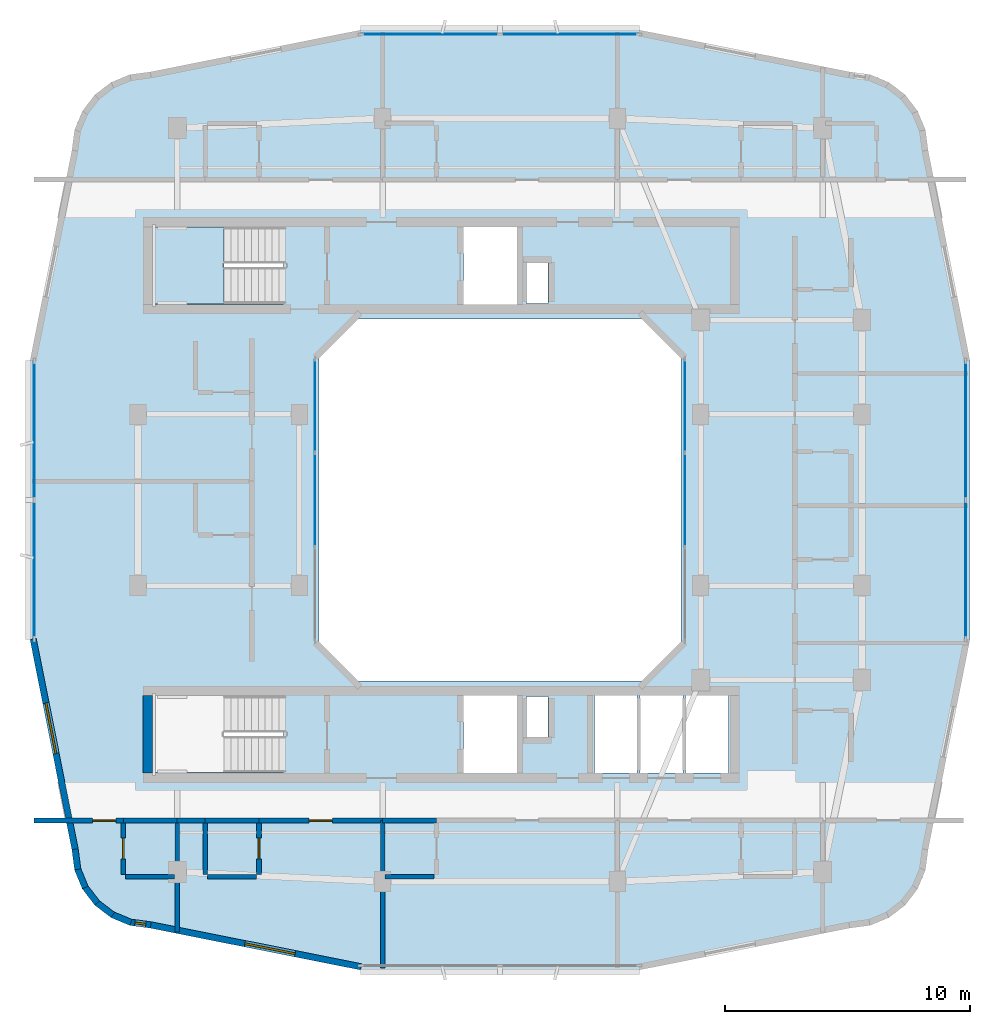
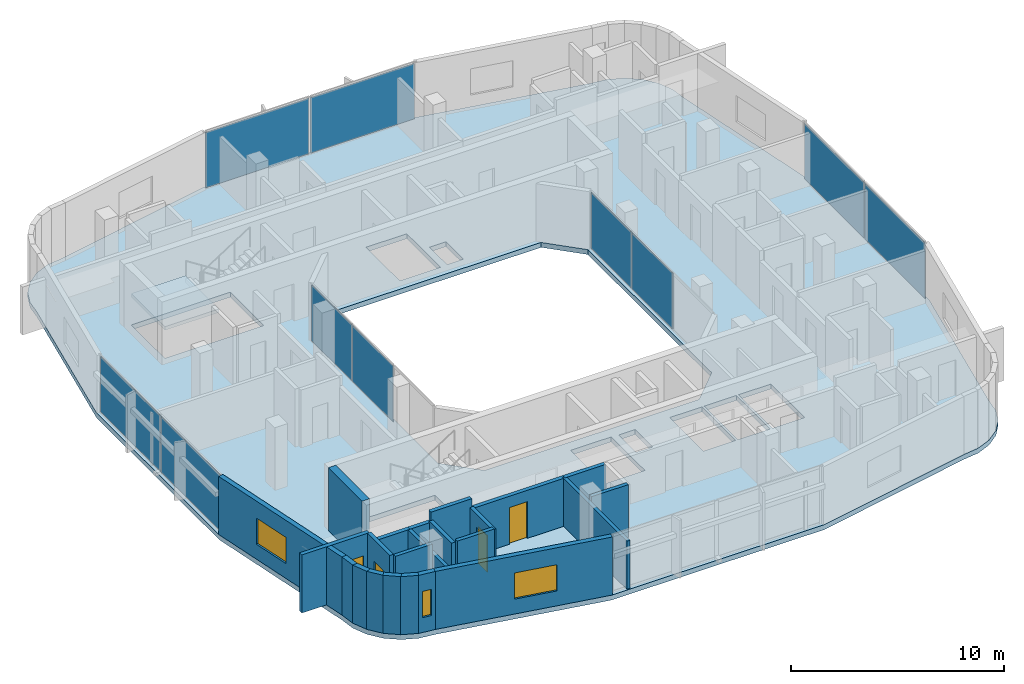
# One storey, part 6 of 14: 23 walls, 10 plates, 4 doors, 3 windows, 2 slabs, 7 openings, 6 elements without a shape of their own.
"""IFC4 building model written with IfcOpenShell, lengths in metres."""

from ifc_helpers import new_model, si_unit, derived_unit, direction, frame, frame_2d, origin, origin_2d, place, context, subcontext, project, spatial, polyline, rectangle, outline, extrude, material, layer, layer_set, type_object, element, fill, aggregate, save


model = new_model("IFC4")

# Units and contexts
model_context = context("Model", 3, precision=1e-05, world=origin(), true_north=direction((0.0, 1.0)))
body_context = subcontext(model_context, "Body", "Model", "MODEL_VIEW")
ifc_project = project(units=[si_unit("LENGTHUNIT", "METRE"), si_unit("AREAUNIT", "SQUARE_METRE"), si_unit("VOLUMEUNIT", "CUBIC_METRE"), si_unit("PLANEANGLEUNIT", "RADIAN"), si_unit("MASSUNIT", "GRAM", prefix="KILO"), derived_unit("THERMALTRANSMITTANCEUNIT", [(si_unit("POWERUNIT", "WATT"), 1), (si_unit("LENGTHUNIT", "METRE"), -2), (si_unit("THERMODYNAMICTEMPERATUREUNIT", "KELVIN"), -1)])], contexts=[model_context])

# Site, building, storey
site_placement = place(None, origin())
site = spatial("IfcSite", under=ifc_project, at=site_placement, CompositionType="ELEMENT")
building_placement = place(site_placement, origin())
building = spatial("IfcBuilding", under=site, at=building_placement, Name="Kivonza Crest Hotel", CompositionType="ELEMENT")
storey_placement = place(building_placement, frame((0.0, 0.0, 227.89990234375)))
storey = spatial("IfcBuildingStorey", under=building, at=storey_placement, Name="L62", CompositionType="ELEMENT", Elevation=227.89990234375)

# Curtain wall, plates
ifc_material_1 = material(Name="Anodised bronze aluminium and low-E double glazing", Category="aluminium")
ifc_layer_1 = layer(ifc_material_1, 0.159912109375)
ifc_layer_set_1 = layer_set([ifc_layer_1], Name="Anodised bronze aluminium and low-E double glazing")
curtain_wall_type_1 = type_object("IfcCurtainWallType", Name="CW-SYS-5", PredefinedType="NOTDEFINED", material=ifc_layer_set_1)
curtain_wall_1_placement = place(storey_placement, origin())
curtain_wall_1 = element("IfcCurtainWall", 1, at=curtain_wall_1_placement, inside=storey, type_object=curtain_wall_type_1, Name="L62 unitised curtain wall CW-WELL-T1-L62-3", PredefinedType="NOTDEFINED")
ifc_material_2 = material(Name="Solar-control low-E double glazing", Category="glass")
ifc_layer_2 = layer(ifc_material_2, 0.028076171875)
ifc_layer_set_2 = layer_set([ifc_layer_2], Name="Solar-control low-E double glazing")
plate_type_1 = type_object("IfcPlateType", Name="CW-PNL-28", PredefinedType="CURTAIN_PANEL", material=ifc_layer_set_2)
plate_1_placement = place(storey_placement, frame((28.56005859375, 25.0, 0.065185546875), z_axis=(0.0, 0.0, 1.0), x_axis=(0.0, 1.0, 0.0)))
plate_1 = element("IfcPlate", 2, at=plate_1_placement, type_object=plate_type_1, Name="CW-5 panel 2.1", PredefinedType="CURTAIN_PANEL", context=body_context, shape_type="SweptSolid", body=[
    extrude(rectangle(XDim=3.8017578125, YDim=0.028076171875, at=origin_2d()), origin(), (0.0, 0.0, 1.0), 3.18994140625),
])
plate_2_placement = place(storey_placement, frame((28.56005859375, 28.850341796875, 0.065185546875), z_axis=(0.0, 0.0, 1.0), x_axis=(0.0, 1.0, 0.0)))
plate_2 = element("IfcPlate", 3, at=plate_2_placement, type_object=plate_type_1, Name="CW-5 panel 3.1", PredefinedType="CURTAIN_PANEL", context=body_context, shape_type="SweptSolid", body=[
    extrude(rectangle(XDim=3.769287109375, YDim=0.028076171875, at=origin_2d()), origin(), (0.0, 0.0, 1.0), 3.18994140625),
])
aggregate(curtain_wall_1, [plate_1, plate_2])

curtain_wall_2_placement = place(storey_placement, origin())
curtain_wall_2 = element("IfcCurtainWall", 4, at=curtain_wall_2_placement, inside=storey, type_object=curtain_wall_type_1, Name="L62 unitised curtain wall CW-WELL-T1-L62-7", PredefinedType="NOTDEFINED")
plate_3_placement = place(storey_placement, frame((13.43994140625, 28.850341796875, 0.065185546875), z_axis=(0.0, 0.0, 1.0), x_axis=(0.0, -1.0, 0.0)))
plate_3 = element("IfcPlate", 5, at=plate_3_placement, type_object=plate_type_1, Name="CW-5 panel 1.1", PredefinedType="CURTAIN_PANEL", context=body_context, shape_type="SweptSolid", body=[
    extrude(rectangle(XDim=3.769287109375, YDim=0.028076171875, at=origin_2d()), origin(), (0.0, 0.0, 1.0), 3.18994140625),
])
plate_4_placement = place(storey_placement, frame((13.43994140625, 25.0, 0.065185546875), z_axis=(0.0, 0.0, 1.0), x_axis=(0.0, -1.0, 0.0)))
plate_4 = element("IfcPlate", 6, at=plate_4_placement, type_object=plate_type_1, Name="CW-5 panel 2.1", PredefinedType="CURTAIN_PANEL", context=body_context, shape_type="SweptSolid", body=[
    extrude(rectangle(XDim=3.8017578125, YDim=0.028076171875, at=origin_2d()), origin(), (0.0, 0.0, 1.0), 3.18994140625),
])
aggregate(curtain_wall_2, [plate_3, plate_4])

ifc_layer_3 = layer(ifc_material_1, 0.179931640625)
ifc_layer_set_3 = layer_set([ifc_layer_3], Name="Anodised bronze aluminium and low-E double glazing")
curtain_wall_type_2 = type_object("IfcCurtainWallType", Name="CW-SYS-3", PredefinedType="NOTDEFINED", material=ifc_layer_set_3)
curtain_wall_3_placement = place(storey_placement, origin())
curtain_wall_3 = element("IfcCurtainWall", 7, at=curtain_wall_3_placement, inside=storey, type_object=curtain_wall_type_2, Name="L62 unitised curtain wall CW-T1-L62-17", PredefinedType="NOTDEFINED")
ifc_material_3 = material(Name="Acoustic triple-laminated low-E glazing", Category="glass")
ifc_layer_4 = layer(ifc_material_3, 0.035888671875)
ifc_layer_set_4 = layer_set([ifc_layer_4], Name="Acoustic triple-laminated low-E glazing")
plate_type_2 = type_object("IfcPlateType", Name="CW-PNL-36", PredefinedType="CURTAIN_PANEL", material=ifc_layer_set_4)
plate_5_placement = place(storey_placement, frame((40.0400390625, 22.15869140625, 0.0751953125), z_axis=(0.0, 0.0, 1.0), x_axis=(0.0, 1.0, 0.0)))
plate_5 = element("IfcPlate", 8, at=plate_5_placement, type_object=plate_type_2, Name="CW-3 panel 1.1", PredefinedType="CURTAIN_PANEL", context=body_context, shape_type="SweptSolid", body=[
    extrude(rectangle(XDim=5.607421875, YDim=0.035888671875, at=origin_2d()), origin(), (0.0, 0.0, 1.0), 3.169921875),
])
plate_6_placement = place(storey_placement, frame((40.0400390625, 27.84130859375, 0.0751953125), z_axis=(0.0, 0.0, 1.0), x_axis=(0.0, 1.0, 0.0)))
plate_6 = element("IfcPlate", 9, at=plate_6_placement, type_object=plate_type_2, Name="CW-3 panel 2.1", PredefinedType="CURTAIN_PANEL", context=body_context, shape_type="SweptSolid", body=[
    extrude(rectangle(XDim=5.607421875, YDim=0.035888671875, at=origin_2d()), origin(), (0.0, 0.0, 1.0), 3.169921875),
])
aggregate(curtain_wall_3, [plate_5, plate_6])

curtain_wall_4_placement = place(storey_placement, origin())
curtain_wall_4 = element("IfcCurtainWall", 10, at=curtain_wall_4_placement, inside=storey, type_object=curtain_wall_type_2, Name="L62 unitised curtain wall CW-T1-L62-26", PredefinedType="NOTDEFINED")
plate_7_placement = place(storey_placement, frame((23.84130859375, 44.0400390625, 0.0751953125), z_axis=(0.0, 0.0, 1.0), x_axis=(-1.0, 0.0, 0.0)))
plate_7 = element("IfcPlate", 11, at=plate_7_placement, type_object=plate_type_2, Name="CW-3 panel 1.1", PredefinedType="CURTAIN_PANEL", context=body_context, shape_type="SweptSolid", body=[
    extrude(rectangle(XDim=5.607421875, YDim=0.035888671875, at=origin_2d()), origin(), (0.0, 0.0, 1.0), 3.169921875),
])
plate_8_placement = place(storey_placement, frame((18.15869140625, 44.0400390625, 0.0751953125), z_axis=(0.0, 0.0, 1.0), x_axis=(-1.0, 0.0, 0.0)))
plate_8 = element("IfcPlate", 12, at=plate_8_placement, type_object=plate_type_2, Name="CW-3 panel 2.1", PredefinedType="CURTAIN_PANEL", context=body_context, shape_type="SweptSolid", body=[
    extrude(rectangle(XDim=5.607421875, YDim=0.035888671875, at=origin_2d()), origin(), (0.0, 0.0, 1.0), 3.169921875),
])
aggregate(curtain_wall_4, [plate_7, plate_8])

curtain_wall_5_placement = place(storey_placement, origin())
curtain_wall_5 = element("IfcCurtainWall", 13, at=curtain_wall_5_placement, inside=storey, type_object=curtain_wall_type_2, Name="L62 unitised curtain wall CW-T1-L62-35", PredefinedType="NOTDEFINED")
plate_9_placement = place(storey_placement, frame((1.9599609375, 27.84130859375, 0.0751953125), z_axis=(0.0, 0.0, 1.0), x_axis=(0.0, -1.0, 0.0)))
plate_9 = element("IfcPlate", 14, at=plate_9_placement, type_object=plate_type_2, Name="CW-3 panel 1.1", PredefinedType="CURTAIN_PANEL", context=body_context, shape_type="SweptSolid", body=[
    extrude(rectangle(XDim=5.607421875, YDim=0.035888671875, at=origin_2d()), origin(), (0.0, 0.0, 1.0), 3.169921875),
])
plate_10_placement = place(storey_placement, frame((1.9599609375, 22.15869140625, 0.0751953125), z_axis=(0.0, 0.0, 1.0), x_axis=(0.0, -1.0, 0.0)))
plate_10 = element("IfcPlate", 15, at=plate_10_placement, type_object=plate_type_2, Name="CW-3 panel 2.1", PredefinedType="CURTAIN_PANEL", context=body_context, shape_type="SweptSolid", body=[
    extrude(rectangle(XDim=5.607421875, YDim=0.035888671875, at=origin_2d()), origin(), (0.0, 0.0, 1.0), 3.169921875),
])
aggregate(curtain_wall_5, [plate_9, plate_10])

# Slab
ifc_material_4 = material(Name="Concrete C40/50", Category="concrete")
ifc_layer_5 = layer(ifc_material_4, 0.280029296875)
ifc_layer_set_5 = layer_set([ifc_layer_5], Name="Concrete C40/50")
slab_type_1 = type_object("IfcSlabType", Name="SL-HTL-280", PredefinedType="FLOOR", material=ifc_layer_set_5)
slab_1_placement = place(storey_placement, frame((0.0, 0.0, -0.27978515625)))
element("IfcSlab", 16, at=slab_1_placement, inside=storey, type_object=slab_type_1, Name="Tower T1 L62 floor slab", PredefinedType="FLOOR", context=body_context, shape_type="SweptSolid", body=[
    extrude(outline(polyline([(3.5, 10.699951171875), (3.60888671875, 9.8720703125), (3.928955078125, 9.10009765625), (4.43701171875, 8.43701171875), (5.10009765625, 7.928955078125), (5.8720703125, 7.60888671875), (6.699951171875, 7.5), (15.239990234375, 5.800048828125), (26.760009765625, 5.800048828125), (35.300048828125, 7.5), (36.1279296875, 7.60888671875), (36.89990234375, 7.928955078125), (37.56298828125, 8.43701171875), (38.071044921875, 9.10009765625), (38.39111328125, 9.8720703125), (38.5, 10.699951171875), (40.199951171875, 19.239990234375), (40.199951171875, 30.760009765625), (38.5, 39.300048828125), (38.39111328125, 40.1279296875), (38.071044921875, 40.89990234375), (37.56298828125, 41.56298828125), (36.89990234375, 42.071044921875), (36.1279296875, 42.39111328125), (35.300048828125, 42.5), (26.760009765625, 44.199951171875), (15.239990234375, 44.199951171875), (6.699951171875, 42.5), (5.8720703125, 42.39111328125), (5.10009765625, 42.071044921875), (4.43701171875, 41.56298828125), (3.928955078125, 40.89990234375), (3.60888671875, 40.1279296875), (3.5, 39.300048828125), (1.800048828125, 30.760009765625), (1.800048828125, 19.239990234375), (3.5, 10.699951171875)]), holes=[polyline([(15.199951171875, 17.60009765625), (26.800048828125, 17.60009765625), (28.39990234375, 19.199951171875), (28.39990234375, 30.800048828125), (26.800048828125, 32.39990234375), (15.199951171875, 32.39990234375), (13.60009765625, 30.800048828125), (13.60009765625, 19.199951171875), (15.199951171875, 17.60009765625)]), polyline([(6.800048828125, 33.02001953125), (12.159912109375, 33.02001953125), (12.159912109375, 36.159912109375), (6.800048828125, 36.159912109375), (6.800048828125, 33.02001953125)]), polyline([(6.800048828125, 13.860107421875), (12.159912109375, 13.860107421875), (12.159912109375, 17.0), (6.800048828125, 17.0), (6.800048828125, 13.860107421875)]), polyline([(22.080078125, 33.0400390625), (22.969970703125, 33.0400390625), (22.969970703125, 34.679931640625), (22.080078125, 34.679931640625), (22.080078125, 33.0400390625)]), polyline([(22.080078125, 15.320068359375), (22.969970703125, 15.320068359375), (22.969970703125, 16.9599609375), (22.080078125, 16.9599609375), (22.080078125, 15.320068359375)]), polyline([(19.5, 33.0), (21.699951171875, 33.0), (21.699951171875, 36.159912109375), (19.5, 36.159912109375), (19.5, 33.0)]), polyline([(19.5, 13.840087890625), (21.699951171875, 13.840087890625), (21.699951171875, 17.0), (19.5, 17.0), (19.5, 13.840087890625)]), polyline([(24.860107421875, 13.840087890625), (26.60693359375, 13.840087890625), (26.60693359375, 17.0), (24.860107421875, 17.0), (24.860107421875, 13.840087890625)]), polyline([(26.72705078125, 13.840087890625), (28.472900390625, 13.840087890625), (28.472900390625, 17.0), (26.72705078125, 17.0), (26.72705078125, 13.840087890625)]), polyline([(28.593017578125, 13.840087890625), (30.340087890625, 13.840087890625), (30.340087890625, 17.0), (28.593017578125, 17.0), (28.593017578125, 13.840087890625)])]), origin(), (0.0, 0.0, 1.0), 0.27978515625),
])

# Stair, slab
stair_type = type_object("IfcStairType", Name="ST-DL-20R", PredefinedType="HALF_TURN_STAIR", material=ifc_material_4)
stair_placement = place(storey_placement, origin())
stair = element("IfcStair", 17, at=stair_placement, inside=storey, type_object=stair_type, Name="L62 Protected Exit Stair ST-T1-N", PredefinedType="HALF_TURN_STAIR")
ifc_layer_6 = layer(ifc_material_4, 0.199951171875)
ifc_layer_set_6 = layer_set([ifc_layer_6], Name="Concrete C40/50")
slab_type_2 = type_object("IfcSlabType", Name="SL-LAND-200", PredefinedType="LANDING", material=ifc_layer_set_6)
slab_2_placement = place(storey_placement, frame((0.0, 0.0, 1.60009765625)))
slab_2 = element("IfcSlab", 18, at=slab_2_placement, type_object=slab_type_2, Name="ST-T1-N landing 1", PredefinedType="LANDING", context=body_context, shape_type="SweptSolid", body=[
    extrude(outline(polyline([(9.719970703125, 36.159912109375), (6.800048828125, 36.159912109375), (6.800048828125, 33.02001953125), (9.719970703125, 33.02001953125), (9.719970703125, 36.159912109375)])), origin(), (0.0, 0.0, 1.0), 0.199951171875),
])
aggregate(stair, [slab_2])

# Walls
ifc_material_5 = material(Name="High-density acoustic masonry inter-tenancy wall", Category="masonry")
ifc_layer_7 = layer(ifc_material_5, 0.179931640625)
ifc_layer_set_7 = layer_set([ifc_layer_7], Name="High-density acoustic masonry inter-tenancy wall")
wall_type_1 = type_object("IfcWallType", Name="WL-ACOU-180", PredefinedType="SOLIDWALL", material=ifc_layer_set_7)
wall_1_placement = place(storey_placement, frame((7.800048828125, 7.342041015625, 0.0), z_axis=(0.0, 0.0, 1.0), x_axis=(0.0, 1.0, 0.0)))
element("IfcWall", 19, at=wall_1_placement, inside=storey, type_object=wall_type_1, Name="L62 interior partition WA-L62-T1S-DIV1", PredefinedType="SOLIDWALL", context=body_context, shape_type="SweptSolid", body=[
    extrude(rectangle(XDim=4.557861328125, YDim=0.179931640625, at=frame_2d((2.27880859375, 0.0))), origin(), (0.0, 0.0, 1.0), 2.7451171875),
])
wall_2_placement = place(storey_placement, frame((16.199951171875, 5.860107421875, 0.0), z_axis=(0.0, 0.0, 1.0), x_axis=(0.0, 1.0, 0.0)))
element("IfcWall", 20, at=wall_2_placement, inside=storey, type_object=wall_type_1, Name="L62 interior partition WA-L62-T1S-DIV2", PredefinedType="SOLIDWALL", context=body_context, shape_type="SweptSolid", body=[
    extrude(rectangle(XDim=6.039794921875, YDim=0.179931640625, at=frame_2d((3.02001953125, 0.0))), origin(), (0.0, 0.0, 1.0), 2.7451171875),
])
ifc_material_6 = material(Name="Autoclaved aerated concrete blockwork", Category="masonry")
ifc_layer_8 = layer(ifc_material_6, 0.219970703125)
ifc_layer_set_8 = layer_set([ifc_layer_8], Name="Autoclaved aerated concrete blockwork")
wall_type_2 = type_object("IfcWallType", Name="WL-ACOU-220", PredefinedType="SOLIDWALL", material=ifc_layer_set_8)
wall_3_placement = place(storey_placement, frame((5.60009765625, 11.89990234375, 0.0), z_axis=(0.0, 0.0, 1.0), x_axis=(1.0, 0.0, 0.0)))
element("IfcWall", 21, at=wall_3_placement, inside=storey, type_object=wall_type_2, Name="L62 interior partition WA-L62-S05-BCORR", PredefinedType="SOLIDWALL", context=body_context, shape_type="SweptSolid", body=[
    extrude(rectangle(XDim=2.199951171875, YDim=0.219970703125, at=frame_2d((1.10009765625, 0.0))), origin(), (0.0, 0.0, 1.0), 2.7451171875),
])

# Wall, opening, door
wall_4_placement = place(storey_placement, frame((1.9599609375, 11.89990234375, 0.0), z_axis=(0.0, 0.0, 1.0), x_axis=(1.0, 0.0, 0.0)))
wall_4 = element("IfcWall", 22, at=wall_4_placement, inside=storey, type_object=wall_type_2, Name="L62 interior partition WA-L62-S05-MCORR", PredefinedType="SOLIDWALL", context=body_context, shape_type="SweptSolid", body=[
    extrude(rectangle(XDim=3.64013671875, YDim=0.219970703125, at=frame_2d((1.820068359375, 0.0))), origin(), (0.0, 0.0, 1.0), 3.320068359375),
])
opening_1_placement = place(wall_4_placement, frame((2.389892578125, 0.0, 0.0)))
opening_1 = element("IfcOpeningElement", 23, at=opening_1_placement, cuts=wall_4, Name="Opening DU-60", PredefinedType="OPENING", context=body_context, shape_type="SweptSolid", body=[
    extrude(rectangle(XDim=0.949951171875, YDim=2.10009765625, at=frame_2d((0.47509765625, 1.050048828125))), frame((0.0, 0.1201171875, 0.0), z_axis=(0.0, -1.0, 0.0), x_axis=(1.0, 0.0, 0.0)), (0.0, 0.0, 1.0), 0.239990234375),
])
ifc_material_7 = material(Name="Hardwood timber oak", Category="wood")
door_type_1 = type_object("IfcDoorType", Name="DR-UNIT-950", OperationType="NOTDEFINED", PredefinedType="DOOR", material=ifc_material_7)
door_1_placement = place(opening_1_placement, frame((0.949951171875, 0.0, 0.0), z_axis=(0.0, 0.0, 1.0), x_axis=(-1.0, 0.0, 0.0)))
door_1 = element("IfcDoor", 24, at=door_1_placement, inside=storey, type_object=door_type_1, Name="L62 S05 guest unit entrance fire door", OperationType="SINGLE_SWING_LEFT", OverallHeight=2.10009765625, OverallWidth=0.949951171875, PredefinedType="DOOR", context=body_context, shape_type="SweptSolid", body=[
    extrude(rectangle(XDim=0.949951171875, YDim=2.10009765625, at=frame_2d((0.47509765625, 1.050048828125))), frame((0.0, 0.02490234375, 0.0), z_axis=(0.0, -1.0, 0.0), x_axis=(1.0, 0.0, 0.0)), (0.0, 0.0, 1.0), 0.050048828125),
])
fill(opening_1, door_1)

# Walls
wall_5_placement = place(storey_placement, frame((7.800048828125, 11.89990234375, 0.0), z_axis=(0.0, 0.0, 1.0), x_axis=(1.0, 0.0, 0.0)))
element("IfcWall", 25, at=wall_5_placement, inside=storey, type_object=wall_type_2, Name="L62 interior partition WA-L62-S06-XCORR", PredefinedType="SOLIDWALL", context=body_context, shape_type="SweptSolid", body=[
    extrude(rectangle(XDim=1.14990234375, YDim=0.219970703125, at=frame_2d((0.574951171875, 0.0))), origin(), (0.0, 0.0, 1.0), 2.7451171875),
])
wall_6_placement = place(storey_placement, frame((8.949951171875, 11.89990234375, 0.0), z_axis=(0.0, 0.0, 1.0), x_axis=(1.0, 0.0, 0.0)))
element("IfcWall", 26, at=wall_6_placement, inside=storey, type_object=wall_type_2, Name="L62 interior partition WA-L62-S06-BCORR", PredefinedType="SOLIDWALL", context=body_context, shape_type="SweptSolid", body=[
    extrude(rectangle(XDim=2.199951171875, YDim=0.219970703125, at=frame_2d((1.10009765625, 0.0))), origin(), (0.0, 0.0, 1.0), 3.320068359375),
])

# Wall, opening, door
wall_7_placement = place(storey_placement, frame((11.14990234375, 11.89990234375, 0.0), z_axis=(0.0, 0.0, 1.0), x_axis=(1.0, 0.0, 0.0)))
wall_7 = element("IfcWall", 27, at=wall_7_placement, inside=storey, type_object=wall_type_2, Name="L62 interior partition WA-L62-S06-MCORR", PredefinedType="SOLIDWALL", context=body_context, shape_type="SweptSolid", body=[
    extrude(rectangle(XDim=5.050048828125, YDim=0.219970703125, at=frame_2d((2.52490234375, 0.0))), origin(), (0.0, 0.0, 1.0), 2.7451171875),
])
opening_2_placement = place(wall_7_placement, frame((2.050048828125, 0.0, 0.0)))
opening_2 = element("IfcOpeningElement", 28, at=opening_2_placement, cuts=wall_7, Name="Opening DU-60", PredefinedType="OPENING", context=body_context, shape_type="SweptSolid", body=[
    extrude(rectangle(XDim=0.949951171875, YDim=2.10009765625, at=frame_2d((0.47509765625, 1.050048828125))), frame((0.0, 0.1201171875, 0.0), z_axis=(0.0, -1.0, 0.0), x_axis=(1.0, 0.0, 0.0)), (0.0, 0.0, 1.0), 0.239990234375),
])
door_2_placement = place(opening_2_placement, frame((0.949951171875, 0.0, 0.0), z_axis=(0.0, 0.0, 1.0), x_axis=(-1.0, 0.0, 0.0)))
door_2 = element("IfcDoor", 29, at=door_2_placement, inside=storey, type_object=door_type_1, Name="L62 S06 guest unit entrance fire door", OperationType="SINGLE_SWING_RIGHT", OverallHeight=2.10009765625, OverallWidth=0.949951171875, PredefinedType="DOOR", context=body_context, shape_type="SweptSolid", body=[
    extrude(rectangle(XDim=0.949951171875, YDim=2.10009765625, at=frame_2d((0.47509765625, 1.050048828125))), frame((0.0, 0.02490234375, 0.0), z_axis=(0.0, -1.0, 0.0), x_axis=(1.0, 0.0, 0.0)), (0.0, 0.0, 1.0), 0.050048828125),
])
fill(opening_2, door_2)

# Walls
wall_8_placement = place(storey_placement, frame((16.199951171875, 11.89990234375, 0.0), z_axis=(0.0, 0.0, 1.0), x_axis=(1.0, 0.0, 0.0)))
element("IfcWall", 30, at=wall_8_placement, inside=storey, type_object=wall_type_2, Name="L62 interior partition WA-L62-S07-BCORR", PredefinedType="SOLIDWALL", context=body_context, shape_type="SweptSolid", body=[
    extrude(rectangle(XDim=2.199951171875, YDim=0.219970703125, at=frame_2d((1.10009765625, 0.0))), origin(), (0.0, 0.0, 1.0), 2.7451171875),
])
ifc_material_8 = material(Name="Concrete C50/60", Category="concrete")
ifc_layer_9 = layer(ifc_material_8, 0.39990234375)
ifc_layer_set_9 = layer_set([ifc_layer_9], Name="Concrete C50/60")
wall_type_3 = type_object("IfcWallType", Name="WL-CORE-400", PredefinedType="SHEAR", material=ifc_layer_set_9)
wall_9_placement = place(storey_placement, frame((6.60009765625, 13.840087890625, 0.0), z_axis=(0.0, 0.0, 1.0), x_axis=(0.0, 1.0, 0.0)))
element("IfcWall", 31, at=wall_9_placement, inside=storey, type_object=wall_type_3, Name="Core wall T1-S West L62", PredefinedType="SHEAR", context=body_context, shape_type="SweptSolid", body=[
    extrude(rectangle(XDim=3.159912109375, YDim=0.39990234375, at=frame_2d((1.580078125, 0.0))), origin(), (0.0, 0.0, 1.0), 3.60009765625),
])
ifc_material_9 = material(Name="Precast concrete C40/50", Category="concrete")
ifc_layer_10 = layer(ifc_material_9, 0.260009765625)
ifc_layer_set_10 = layer_set([ifc_layer_10], Name="Precast concrete C40/50")
wall_type_4 = type_object("IfcWallType", Name="WL-EXT-260", PredefinedType="STANDARD", material=ifc_layer_set_10)
wall_10_placement = place(storey_placement, frame((3.6279296875, 10.72509765625, 0.0), z_axis=(0.0, 0.0, 1.0), x_axis=(0.130954667764, -0.9913883573, 0.0)))
element("IfcWall", 32, at=wall_10_placement, inside=storey, type_object=wall_type_4, Name="L62 T1 exterior insulated wall 1", PredefinedType="STANDARD", context=body_context, shape_type="SweptSolid", body=[
    extrude(rectangle(XDim=0.833251953125, YDim=0.260009765625, at=frame_2d((0.41650390625, 0.0))), origin(), (0.0, 0.0, 1.0), 3.320068359375),
])
wall_11_placement = place(storey_placement, frame((3.718994140625, 9.945068359375, 0.0), z_axis=(0.0, 0.0, 1.0), x_axis=(0.382985169477, -0.923754491172, 0.0)))
element("IfcWall", 33, at=wall_11_placement, inside=storey, type_object=wall_type_4, Name="L62 T1 exterior insulated wall 2", PredefinedType="STANDARD", context=body_context, shape_type="SweptSolid", body=[
    extrude(rectangle(XDim=0.85107421875, YDim=0.260009765625, at=frame_2d((0.425537109375, 0.0))), origin(), (0.0, 0.0, 1.0), 3.320068359375),
])
for number, where, z_axis, x_axis, name in (
    (34, (4.01708984375, 9.198974609375, 0.0), (0.0, 0.0, 1.0), (0.607918988881, -0.793999057278, 0.0), "L62 T1 exterior insulated wall 3"),
    (35, (4.49609375, 8.554931640625, 0.0), (0.0, 0.0, 1.0), (0.793892896323, -0.608057619941, 0.0), "L62 T1 exterior insulated wall 4"),
):
    element("IfcWall", number, at=place(storey_placement, frame(where, z_axis=z_axis, x_axis=x_axis)), inside=storey, type_object=wall_type_4, Name=name, PredefinedType="STANDARD", context=body_context, shape_type="SweptSolid", body=[
        extrude(rectangle(XDim=0.85009765625, YDim=0.260009765625, at=frame_2d((0.425048828125, 0.0))), origin(), (0.0, 0.0, 1.0), 3.320068359375),
    ])
wall_12_placement = place(storey_placement, frame((5.126953125, 8.05908203125, 0.0), z_axis=(0.0, 0.0, 1.0), x_axis=(0.923652976167, -0.383229930484, 0.0)))
element("IfcWall", 36, at=wall_12_placement, inside=storey, type_object=wall_type_4, Name="L62 T1 exterior insulated wall 5", PredefinedType="STANDARD", context=body_context, shape_type="SweptSolid", body=[
    extrude(rectangle(XDim=0.85107421875, YDim=0.260009765625, at=frame_2d((0.425537109375, 0.0))), origin(), (0.0, 0.0, 1.0), 3.320068359375),
])

# Wall, opening, window
wall_13_placement = place(storey_placement, frame((5.864013671875, 7.740966796875, 0.0), z_axis=(0.0, 0.0, 1.0), x_axis=(0.991493480548, -0.130156359936, 0.0)))
wall_13 = element("IfcWall", 37, at=wall_13_placement, inside=storey, type_object=wall_type_4, Name="L62 T1 exterior insulated wall 6", PredefinedType="STANDARD", context=body_context, shape_type="SweptSolid", body=[
    extrude(rectangle(XDim=0.868408203125, YDim=0.260009765625, at=frame_2d((0.43408203125, 0.0))), origin(), (0.0, 0.0, 1.0), 3.320068359375),
])
opening_3_placement = place(wall_13_placement, frame((0.208984375, 0.0, 0.85009765625)))
opening_3 = element("IfcOpeningElement", 38, at=opening_3_placement, cuts=wall_13, Name="Opening WN-11", PredefinedType="OPENING", context=body_context, shape_type="SweptSolid", body=[
    extrude(rectangle(XDim=0.449951171875, YDim=1.5, at=frame_2d((0.22509765625, 0.75))), frame((0.0, 0.14013671875, 0.0), z_axis=(0.0, -1.0, 0.0), x_axis=(1.0, 0.0, 0.0)), (0.0, 0.0, 1.0), 0.280029296875),
])
ifc_material_10 = material(Name="Thermally broken bronze aluminium and low-E double glazing", Category="aluminium")
window_type_1 = type_object("IfcWindowType", Name="WN-045x150", PartitioningType="SINGLE_PANEL", PredefinedType="WINDOW", material=ifc_material_10)
window_1_placement = place(opening_3_placement, origin())
window_1 = element("IfcWindow", 39, at=window_1_placement, inside=storey, type_object=window_type_1, Name="L62 corner vision window 2", OverallHeight=1.5, OverallWidth=0.449951171875, PartitioningType="SINGLE_PANEL", PredefinedType="WINDOW", context=body_context, shape_type="SweptSolid", body=[
    extrude(rectangle(XDim=0.449951171875, YDim=1.5, at=frame_2d((0.22509765625, 0.75))), frame((0.0, 0.030029296875, 0.0), z_axis=(0.0, -1.0, 0.0), x_axis=(1.0, 0.0, 0.0)), (0.0, 0.0, 1.0), 0.06005859375),
])
fill(opening_3, window_1)

wall_14_placement = place(storey_placement, frame((6.717041015625, 7.62890625, 0.0), z_axis=(0.0, 0.0, 1.0), x_axis=(0.980745199176, -0.195291715883, 0.0)))
wall_14 = element("IfcWall", 40, at=wall_14_placement, inside=storey, type_object=wall_type_4, Name="L62 T1 exterior insulated wall 7", PredefinedType="STANDARD", context=body_context, shape_type="SweptSolid", body=[
    extrude(rectangle(XDim=8.77099609375, YDim=0.260009765625, at=frame_2d((4.385498046875, 0.0))), origin(), (0.0, 0.0, 1.0), 3.320068359375),
])
opening_4_placement = place(wall_14_placement, frame((3.925048828125, 0.0, 0.85009765625)))
opening_4 = element("IfcOpeningElement", 41, at=opening_4_placement, cuts=wall_14, Name="Opening WN-04", PredefinedType="OPENING", context=body_context, shape_type="SweptSolid", body=[
    extrude(rectangle(XDim=2.10009765625, YDim=1.5, at=frame_2d((1.050048828125, 0.75))), frame((0.0, 0.14013671875, 0.0), z_axis=(0.0, -1.0, 0.0), x_axis=(1.0, 0.0, 0.0)), (0.0, 0.0, 1.0), 0.280029296875),
])
window_type_2 = type_object("IfcWindowType", Name="WN-210x150", PartitioningType="DOUBLE_PANEL_VERTICAL", PredefinedType="WINDOW", material=ifc_material_10)
window_2_placement = place(opening_4_placement, origin())
window_2 = element("IfcWindow", 42, at=window_2_placement, inside=storey, type_object=window_type_2, Name="L62 T1 facade window 7", OverallHeight=1.5, OverallWidth=2.10009765625, PartitioningType="SINGLE_PANEL", PredefinedType="WINDOW", context=body_context, shape_type="SweptSolid", body=[
    extrude(rectangle(XDim=2.10009765625, YDim=1.5, at=frame_2d((1.050048828125, 0.75))), frame((0.0, 0.030029296875, 0.0), z_axis=(0.0, -1.0, 0.0), x_axis=(1.0, 0.0, 0.0)), (0.0, 0.0, 1.0), 0.06005859375),
])
fill(opening_4, window_2)

wall_15_placement = place(storey_placement, frame((1.916015625, 19.319091796875, 0.0), z_axis=(0.0, 0.0, 1.0), x_axis=(0.195291715883, -0.980745199176, 0.0)))
wall_15 = element("IfcWall", 43, at=wall_15_placement, inside=storey, type_object=wall_type_4, Name="L62 T1 exterior insulated wall 36", PredefinedType="STANDARD", context=body_context, shape_type="SweptSolid", body=[
    extrude(rectangle(XDim=8.77099609375, YDim=0.260009765625, at=frame_2d((4.385498046875, 0.0))), origin(), (0.0, 0.0, 1.0), 3.320068359375),
])
opening_5_placement = place(wall_15_placement, frame((2.669921875, 0.0, 0.85009765625)))
opening_5 = element("IfcOpeningElement", 44, at=opening_5_placement, cuts=wall_15, Name="Opening WN-04", PredefinedType="OPENING", context=body_context, shape_type="SweptSolid", body=[
    extrude(rectangle(XDim=2.10009765625, YDim=1.5, at=frame_2d((1.050048828125, 0.75))), frame((0.0, 0.14013671875, 0.0), z_axis=(0.0, -1.0, 0.0), x_axis=(1.0, 0.0, 0.0)), (0.0, 0.0, 1.0), 0.280029296875),
])
window_3_placement = place(opening_5_placement, origin())
window_3 = element("IfcWindow", 45, at=window_3_placement, inside=storey, type_object=window_type_2, Name="L62 T1 facade window 36", OverallHeight=1.5, OverallWidth=2.10009765625, PartitioningType="SINGLE_PANEL", PredefinedType="WINDOW", context=body_context, shape_type="SweptSolid", body=[
    extrude(rectangle(XDim=2.10009765625, YDim=1.5, at=frame_2d((1.050048828125, 0.75))), frame((0.0, 0.030029296875, 0.0), z_axis=(0.0, -1.0, 0.0), x_axis=(1.0, 0.0, 0.0)), (0.0, 0.0, 1.0), 0.06005859375),
])
fill(opening_5, window_3)

# Wall, opening, door
ifc_material_11 = material(Name="Moisture-resistant plumbing chase partition wall", Category="gypsum")
ifc_layer_11 = layer(ifc_material_11, 0.199951171875)
ifc_layer_set_11 = layer_set([ifc_layer_11], Name="Moisture-resistant plumbing chase partition wall")
wall_type_5 = type_object("IfcWallType", Name="WL-PLUMB-200", PredefinedType="PLUMBINGWALL", material=ifc_layer_set_11)
wall_16_placement = place(storey_placement, frame((5.60009765625, 9.699951171875, 0.0), z_axis=(0.0, 0.0, 1.0), x_axis=(0.0, 1.0, 0.0)))
wall_16 = element("IfcWall", 46, at=wall_16_placement, inside=storey, type_object=wall_type_5, Name="L62 interior partition WW-L62-S05-BV", PredefinedType="PLUMBINGWALL", context=body_context, shape_type="SweptSolid", body=[
    extrude(rectangle(XDim=2.10009765625, YDim=0.199951171875, at=frame_2d((1.050048828125, 0.0))), origin(), (0.0, 0.0, 1.0), 3.320068359375),
])
opening_6_placement = place(wall_16_placement, frame((0.625, 0.0, 0.0)))
opening_6 = element("IfcOpeningElement", 47, at=opening_6_placement, cuts=wall_16, Name="Opening DI-85", PredefinedType="OPENING", context=body_context, shape_type="SweptSolid", body=[
    extrude(rectangle(XDim=0.85009765625, YDim=2.10009765625, at=frame_2d((0.425048828125, 1.050048828125))), frame((0.0, 0.10986328125, 0.0), z_axis=(0.0, -1.0, 0.0), x_axis=(1.0, 0.0, 0.0)), (0.0, 0.0, 1.0), 0.219970703125),
])
door_type_2 = type_object("IfcDoorType", Name="DR-INT-850", OperationType="NOTDEFINED", PredefinedType="DOOR", material=ifc_material_7)
door_3_placement = place(opening_6_placement, origin())
door_3 = element("IfcDoor", 48, at=door_3_placement, inside=storey, type_object=door_type_2, Name="L62 S05 en-suite bathroom door", OperationType="SINGLE_SWING_RIGHT", OverallHeight=2.10009765625, OverallWidth=0.85009765625, PredefinedType="DOOR", context=body_context, shape_type="SweptSolid", body=[
    extrude(rectangle(XDim=0.85009765625, YDim=2.10009765625, at=frame_2d((0.425048828125, 1.050048828125))), frame((0.0, 0.02490234375, 0.0), z_axis=(0.0, -1.0, 0.0), x_axis=(1.0, 0.0, 0.0)), (0.0, 0.0, 1.0), 0.050048828125),
])
fill(opening_6, door_3)

# Wall
wall_17_placement = place(storey_placement, frame((5.699951171875, 9.60009765625, 0.0), z_axis=(0.0, 0.0, 1.0), x_axis=(1.0, 0.0, 0.0)))
element("IfcWall", 49, at=wall_17_placement, inside=storey, type_object=wall_type_5, Name="L62 interior partition WW-L62-S05-BH", PredefinedType="PLUMBINGWALL", context=body_context, shape_type="SweptSolid", body=[
    extrude(rectangle(XDim=2.0, YDim=0.199951171875, at=frame_2d((1.0, 0.0))), origin(), (0.0, 0.0, 1.0), 3.320068359375),
])

# Wall, opening, door
wall_18_placement = place(storey_placement, frame((11.14990234375, 9.699951171875, 0.0), z_axis=(0.0, 0.0, 1.0), x_axis=(0.0, 1.0, 0.0)))
wall_18 = element("IfcWall", 50, at=wall_18_placement, inside=storey, type_object=wall_type_5, Name="L62 interior partition WW-L62-S06-BV", PredefinedType="PLUMBINGWALL", context=body_context, shape_type="SweptSolid", body=[
    extrude(rectangle(XDim=2.10009765625, YDim=0.199951171875, at=frame_2d((1.050048828125, 0.0))), origin(), (0.0, 0.0, 1.0), 2.84521484375),
])
opening_7_placement = place(wall_18_placement, frame((0.625, 0.0, 0.0)))
opening_7 = element("IfcOpeningElement", 51, at=opening_7_placement, cuts=wall_18, Name="Opening DI-85", PredefinedType="OPENING", context=body_context, shape_type="SweptSolid", body=[
    extrude(rectangle(XDim=0.85009765625, YDim=2.10009765625, at=frame_2d((0.425048828125, 1.050048828125))), frame((0.0, 0.10986328125, 0.0), z_axis=(0.0, -1.0, 0.0), x_axis=(1.0, 0.0, 0.0)), (0.0, 0.0, 1.0), 0.219970703125),
])
door_4_placement = place(opening_7_placement, frame((0.85009765625, 0.0, 0.0), z_axis=(0.0, 0.0, 1.0), x_axis=(-1.0, 0.0, 0.0)))
door_4 = element("IfcDoor", 52, at=door_4_placement, inside=storey, type_object=door_type_2, Name="L62 S06 en-suite bathroom door", OperationType="SINGLE_SWING_LEFT", OverallHeight=2.10009765625, OverallWidth=0.85009765625, PredefinedType="DOOR", context=body_context, shape_type="SweptSolid", body=[
    extrude(rectangle(XDim=0.85009765625, YDim=2.10009765625, at=frame_2d((0.425048828125, 1.050048828125))), frame((0.0, 0.02490234375, 0.0), z_axis=(0.0, -1.0, 0.0), x_axis=(1.0, 0.0, 0.0)), (0.0, 0.0, 1.0), 0.050048828125),
])
fill(opening_7, door_4)

# Walls
wall_19_placement = place(storey_placement, frame((9.050048828125, 9.60009765625, 0.0), z_axis=(0.0, 0.0, 1.0), x_axis=(1.0, 0.0, 0.0)))
element("IfcWall", 53, at=wall_19_placement, inside=storey, type_object=wall_type_5, Name="L62 interior partition WW-L62-S06-BH", PredefinedType="PLUMBINGWALL", context=body_context, shape_type="SweptSolid", body=[
    extrude(rectangle(XDim=2.0, YDim=0.199951171875, at=frame_2d((1.0, 0.0))), origin(), (0.0, 0.0, 1.0), 3.01513671875),
])
wall_20_placement = place(storey_placement, frame((8.949951171875, 9.699951171875, 0.0), z_axis=(0.0, 0.0, 1.0), x_axis=(0.0, 1.0, 0.0)))
element("IfcWall", 54, at=wall_20_placement, inside=storey, type_object=wall_type_5, Name="L62 interior partition WW-L62-S06-BVW", PredefinedType="PLUMBINGWALL", context=body_context, shape_type="SweptSolid", body=[
    extrude(rectangle(XDim=2.10009765625, YDim=0.199951171875, at=frame_2d((1.050048828125, 0.0))), origin(), (0.0, 0.0, 1.0), 2.84521484375),
])
wall_21_placement = place(storey_placement, frame((16.300048828125, 9.60009765625, 0.0), z_axis=(0.0, 0.0, 1.0), x_axis=(1.0, 0.0, 0.0)))
element("IfcWall", 55, at=wall_21_placement, inside=storey, type_object=wall_type_5, Name="L62 interior partition WW-L62-S07-BH", PredefinedType="PLUMBINGWALL", context=body_context, shape_type="SweptSolid", body=[
    extrude(rectangle(XDim=2.0, YDim=0.199951171875, at=frame_2d((1.0, 0.0))), origin(), (0.0, 0.0, 1.0), 3.01513671875),
])

save(model, "model.ifc")
